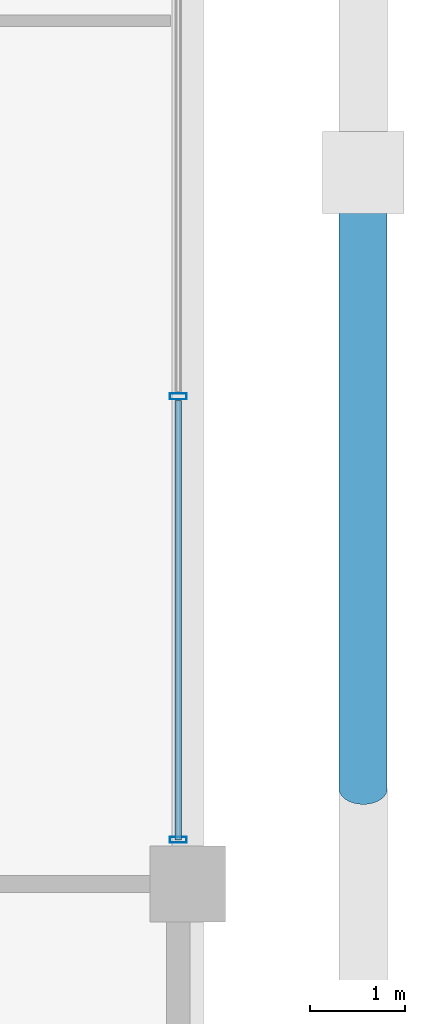
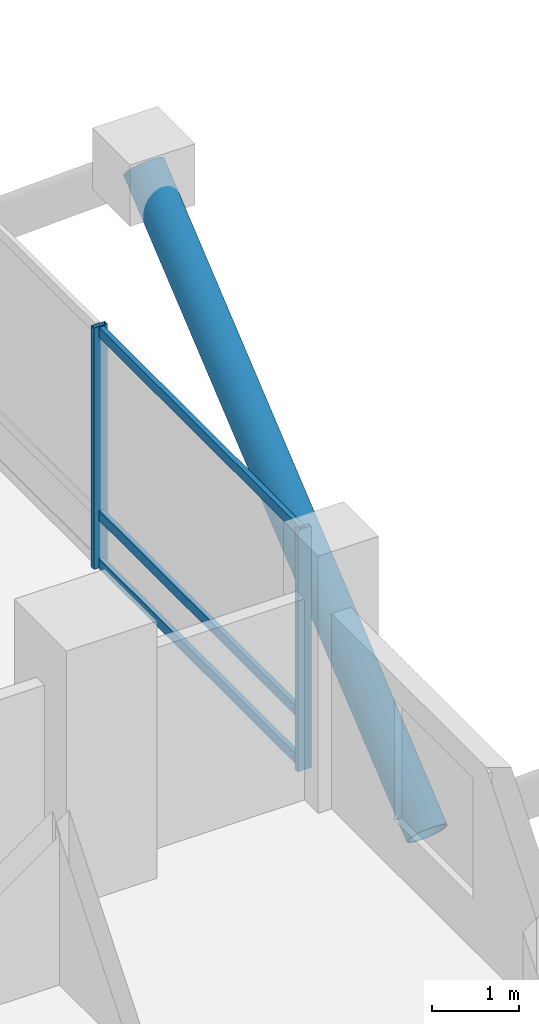
# One storey, part 8 of 22: 6 members, 1 element without a shape of its own.
"""IFC4 building model written with IfcOpenShell, lengths in metres."""

from ifc_helpers import new_model, si_unit, direction, frame, origin, origin_2d, place, context, subcontext, project, spatial, hollow_rectangle, hollow_circle, extrude, material, layer, layer_set, material_profile, profile_set, type_object, element, aggregate, save


model = new_model("IFC4")

# Units and contexts
model_context = context("Model", 3, precision=1e-05, world=origin(), true_north=direction((0.0, 1.0)))
body_context = subcontext(model_context, "Body", "Model", "MODEL_VIEW")
ifc_project = project(units=[si_unit("LENGTHUNIT", "METRE"), si_unit("AREAUNIT", "SQUARE_METRE"), si_unit("VOLUMEUNIT", "CUBIC_METRE"), si_unit("PLANEANGLEUNIT", "RADIAN"), si_unit("MASSUNIT", "GRAM", prefix="KILO")], contexts=[model_context])

# Site, building, storey
site_placement = place(None, origin())
site = spatial("IfcSite", under=ifc_project, at=site_placement, CompositionType="ELEMENT")
building_placement = place(site_placement, origin())
building = spatial("IfcBuilding", under=site, at=building_placement, Name="Barlavira Tower and Art Museum", CompositionType="ELEMENT")
storey_placement = place(building_placement, frame((0.0, 0.0, 106.199951171875)))
storey = spatial("IfcBuildingStorey", under=building, at=storey_placement, Name="L26", CompositionType="ELEMENT", Elevation=106.199951171875)

# Curtain wall, members
ifc_material_1 = material(Name="Low-iron coastal laminated glass", Category="glass")
ifc_layer = layer(ifc_material_1, 0.18994140625, Name="Low-iron coastal laminated glass")
ifc_layer_set = layer_set([ifc_layer], Name="Low-iron coastal laminated glass")
curtain_wall_type = type_object("IfcCurtainWallType", Name="Pale-Metal Unitised Curtain Wall Zone 2", PredefinedType="NOTDEFINED", material=ifc_layer_set)
curtain_wall_placement = place(storey_placement, origin())
curtain_wall = element("IfcCurtainWall", 1, at=curtain_wall_placement, inside=storey, type_object=curtain_wall_type, Name="L26 Curtain Wall CW2-L26-E-B3", PredefinedType="NOTDEFINED")
ifc_material_2 = material(Name="Pale anodised aluminium", Category="aluminium")
ifc_material_profile_1 = material_profile(ifc_material_2, hollow_rectangle(XDim=0.06494140625, YDim=0.179931640625, WallThickness=0.00390625, at=origin_2d()), Name="ALU-MULL 65x180x4")
ifc_profile_set_1 = profile_set([ifc_material_profile_1], Name="Pale anodised aluminium")
member_type_1 = type_object("IfcMemberType", Name="Curtain Wall Pale-Metal Mullion 65x180", PredefinedType="MULLION", material=ifc_profile_set_1)
member_1_placement = place(storey_placement, frame((20.14990234375, -7.034912109375, 0.0), z_axis=(0.0, 0.0, 1.0), x_axis=(0.0, 1.0, 0.0)))
member_1 = element("IfcMember", 2, at=member_1_placement, type_object=member_type_1, Name="CW2-L26-E-B3 Mullion 0", PredefinedType="MULLION", context=body_context, shape_type="SweptSolid", body=[
    extrude(hollow_rectangle(XDim=0.06494140625, YDim=0.179931640625, WallThickness=0.00390625, at=origin_2d()), origin(), (0.0, 0.0, 1.0), 3.380126953125),
])
member_2_placement = place(storey_placement, frame((20.14990234375, -2.360107421875, 0.0), z_axis=(0.0, 0.0, 1.0), x_axis=(0.0, 1.0, 0.0)))
member_2 = element("IfcMember", 3, at=member_2_placement, type_object=member_type_1, Name="CW2-L26-E-B3 Mullion 1", PredefinedType="MULLION", context=body_context, shape_type="SweptSolid", body=[
    extrude(hollow_rectangle(XDim=0.06494140625, YDim=0.179931640625, WallThickness=0.00390625, at=origin_2d()), origin(), (0.0, 0.0, 1.0), 3.380126953125),
])
ifc_material_profile_2 = material_profile(ifc_material_2, hollow_rectangle(XDim=0.06494140625, YDim=0.139892578125, WallThickness=0.00390625, at=origin_2d()), Name="ALU-TRAN 65x140x4")
ifc_profile_set_2 = profile_set([ifc_material_profile_2], Name="Pale anodised aluminium")
member_type_2 = type_object("IfcMemberType", Name="Curtain Wall Pale-Metal Transom 65x140", PredefinedType="USERDEFINED", material=ifc_profile_set_2)
member_3_placement = place(storey_placement, frame((20.14990234375, -7.034912109375, 0.070068359375), z_axis=(0.0, 1.0, 0.0), x_axis=(-1.0, 0.0, 0.0)))
member_3 = element("IfcMember", 4, at=member_3_placement, type_object=member_type_2, Name="CW2-L26-E-B3 Transom 0.1", ObjectType="TRANSOM", PredefinedType="USERDEFINED", context=body_context, shape_type="SweptSolid", body=[
    extrude(hollow_rectangle(XDim=0.06494140625, YDim=0.139892578125, WallThickness=0.00390625, at=origin_2d()), origin(), (0.0, 0.0, 1.0), 4.6298828125),
])
member_4_placement = place(storey_placement, frame((20.14990234375, -7.034912109375, 0.744140625), z_axis=(0.0, 1.0, 0.0), x_axis=(-1.0, 0.0, 0.0)))
member_4 = element("IfcMember", 5, at=member_4_placement, type_object=member_type_2, Name="CW2-L26-E-B3 Transom 0.2", ObjectType="TRANSOM", PredefinedType="USERDEFINED", context=body_context, shape_type="SweptSolid", body=[
    extrude(hollow_rectangle(XDim=0.06494140625, YDim=0.139892578125, WallThickness=0.00390625, at=origin_2d()), origin(), (0.0, 0.0, 1.0), 4.6298828125),
])
member_5_placement = place(storey_placement, frame((20.14990234375, -7.034912109375, 3.31005859375), z_axis=(0.0, 1.0, 0.0), x_axis=(-1.0, 0.0, 0.0)))
member_5 = element("IfcMember", 6, at=member_5_placement, type_object=member_type_2, Name="CW2-L26-E-B3 Transom 0.3", ObjectType="TRANSOM", PredefinedType="USERDEFINED", context=body_context, shape_type="SweptSolid", body=[
    extrude(hollow_rectangle(XDim=0.06494140625, YDim=0.139892578125, WallThickness=0.00390625, at=origin_2d()), origin(), (0.0, 0.0, 1.0), 4.6298828125),
])
aggregate(curtain_wall, [member_1, member_2, member_3, member_4, member_5])

# Member
ifc_material_3 = material(Name="Steel S355", Category="steel")
ifc_material_profile_3 = material_profile(ifc_material_3, hollow_circle(Radius=0.25390625, WallThickness=0.022216796875, at=origin_2d()), Name="CHS 508.0x22.2")
ifc_profile_set_3 = profile_set([ifc_material_profile_3], Name="Steel S355")
member_type_3 = type_object("IfcMemberType", Name="Pale-Metal Exoskeleton Diagrid Tube CHS 508x22 Steel S355", PredefinedType="BRACE", material=ifc_profile_set_3)
member_6_placement = place(storey_placement, frame((22.10009765625, -6.5, -1.919921875), z_axis=(0.0, 0.769196053329, 0.639012857104), x_axis=(-1.0, 0.0, 0.0)))
element("IfcMember", 7, at=member_6_placement, inside=storey, type_object=member_type_3, Name="L26 Exoskeleton Diagrid Tube E", PredefinedType="BRACE", context=body_context, shape_type="SweptSolid", body=[
    extrude(hollow_circle(Radius=0.25390625, WallThickness=0.022216796875, at=origin_2d()), origin(), (0.0, 0.0, 1.0), 8.450439453125),
])

save(model, "model.ifc")
